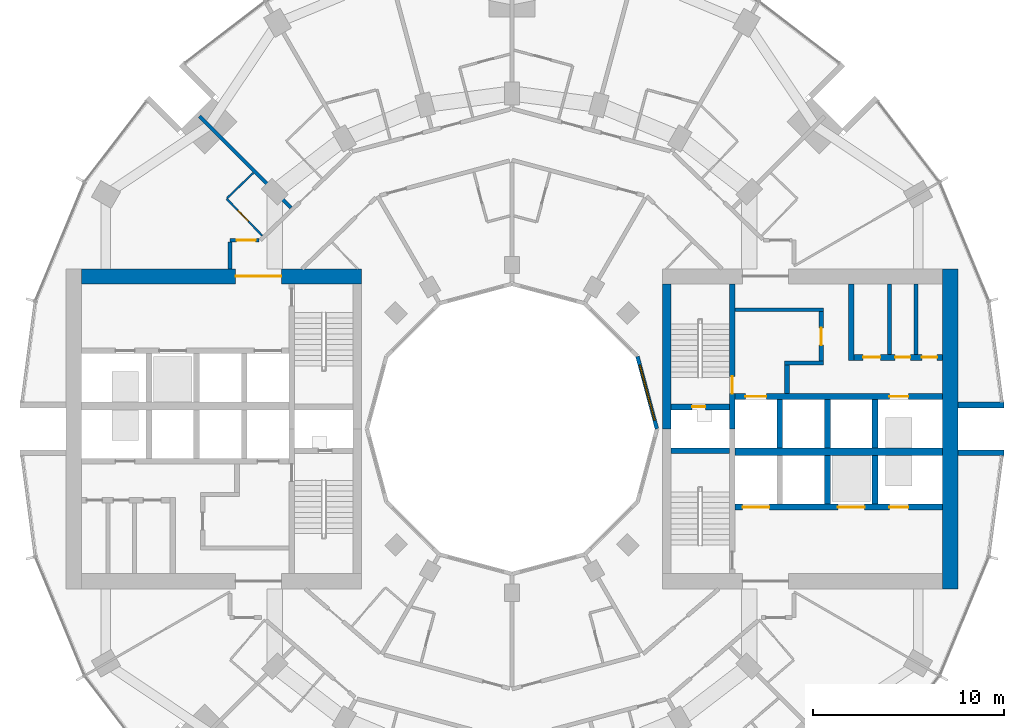
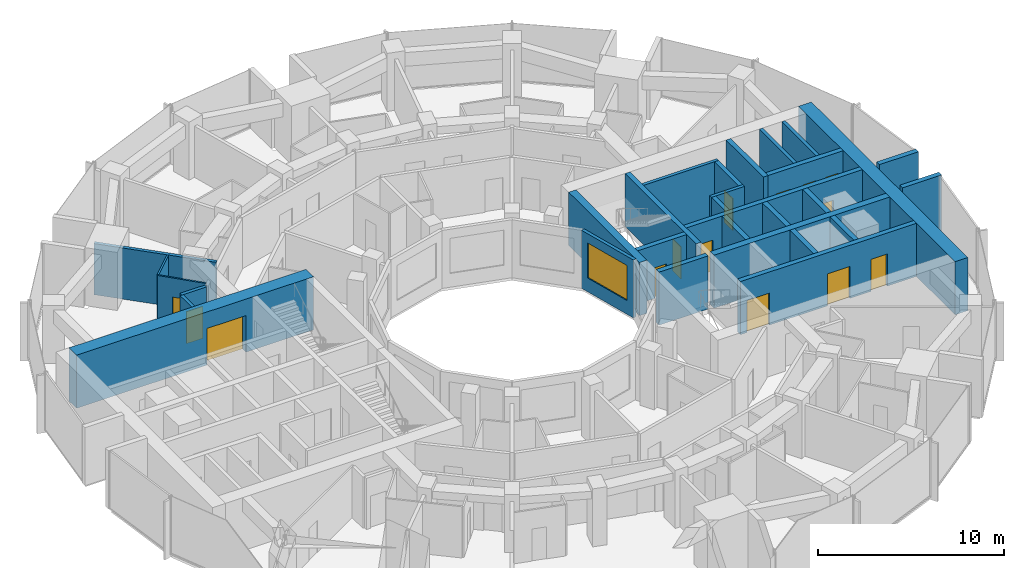
# One storey, part 11 of 15: 30 walls, 14 doors, 1 window, 15 openings.
"""IFC4 building model written with IfcOpenShell, lengths in metres."""

import ifcopenshell
import ifcopenshell.guid

model = None  # the IFC model being written
_history = None  # IfcOwnerHistory: only IFC2X3 demands one
_inside = {}  # id of a spatial element -> (the spatial element, [elements in it])
_under = {}  # id of a project, library or spatial element -> (it, [spatial elements below it])
_declared = {}  # id of a project -> (the project, [libraries it declares])
_typed = {}  # id of a type object -> (the type object, [elements of that type])
_made_of = {}  # id of a material, layer set ... -> (it, [elements and type objects made of it])


def new_model(schema):
    """Start an empty IFC model of exactly this schema.

    Asked for "IFC4X3", IfcOpenShell would pick the latest addendum, in which some entities
    have other attributes; the version numbers below select the first issue.
    IFC2X3 requires an IfcOwnerHistory on every rooted entity: one is made here for all.
    """
    global model, _history
    if schema == "IFC4X3":
        model = ifcopenshell.file(schema_version=(4, 3, 0, 0))
    else:
        model = ifcopenshell.file(schema=schema)
    _inside.clear()
    _under.clear()
    _declared.clear()
    _typed.clear()
    _made_of.clear()
    _history = None
    if model.schema == "IFC2X3":
        org = make("IfcOrganization", Name="unknown")
        user = make(
            "IfcPersonAndOrganization",
            ThePerson=make("IfcPerson", FamilyName="unknown"),
            TheOrganization=org,
        )
        app = make(
            "IfcApplication",
            ApplicationDeveloper=org,
            Version="unknown",
            ApplicationFullName="unknown",
            ApplicationIdentifier="unknown",
        )
        _history = make(
            "IfcOwnerHistory",
            OwningUser=user,
            OwningApplication=app,
            ChangeAction="ADDED",
            CreationDate=0,
        )
    return model


def make(cls, **values):
    """One entity of the class cls with the attributes given. An attribute that is None is left unset."""
    return model.create_entity(
        cls, **{name: value for name, value in values.items() if value is not None}
    )


def rooted(cls, **values):
    """An entity with a GlobalId (a new one), such as an element, a storey or a relation."""
    return make(cls, GlobalId=ifcopenshell.guid.new(), OwnerHistory=_history, **values)


def si_unit(unit_type, name, prefix=None):
    """IfcSIUnit, for example si_unit("LENGTHUNIT", "METRE", prefix="MILLI")."""
    return make("IfcSIUnit", UnitType=unit_type, Prefix=prefix, Name=name)


def assignment(units):
    """IfcUnitAssignment: the units of a project."""
    return None if units is None else make("IfcUnitAssignment", Units=units)


def point(xyz):
    """IfcCartesianPoint."""
    return None if xyz is None else make("IfcCartesianPoint", Coordinates=xyz)


def direction(xyz):
    """IfcDirection."""
    return None if xyz is None else make("IfcDirection", DirectionRatios=xyz)


def frame(location, z_axis=None, x_axis=None):
    """IfcAxis2Placement3D, a coordinate frame: its origin and axes. An axis left out is left unset."""
    return make(
        "IfcAxis2Placement3D",
        Location=point(location),
        Axis=direction(z_axis),
        RefDirection=direction(x_axis),
    )


def frame_2d(location, x_axis=None):
    """IfcAxis2Placement2D, a coordinate frame in the plane: its origin and x axis."""
    return make(
        "IfcAxis2Placement2D", Location=point(location), RefDirection=direction(x_axis)
    )


def origin():
    """The frame at (0, 0, 0) with its axes left unset."""
    return frame((0.0, 0.0, 0.0))


def place(relative_to, where):
    """IfcLocalPlacement: puts the frame where relative to a parent placement (None: the world)."""
    return make(
        "IfcLocalPlacement", PlacementRelTo=relative_to, RelativePlacement=where
    )


def context(
    kind, dimensions, precision=None, world=None, true_north=None, identifier=None
):
    """IfcGeometricRepresentationContext, for example the 3D "Model" context."""
    return make(
        "IfcGeometricRepresentationContext",
        ContextIdentifier=identifier,
        ContextType=kind,
        CoordinateSpaceDimension=dimensions,
        Precision=precision,
        WorldCoordinateSystem=world,
        TrueNorth=true_north,
    )


def subcontext(parent, identifier, kind, view, scale=None):
    """IfcGeometricRepresentationSubContext, for example "Body" below "Model"."""
    return make(
        "IfcGeometricRepresentationSubContext",
        ContextIdentifier=identifier,
        ContextType=kind,
        ParentContext=parent,
        TargetScale=scale,
        TargetView=view,
    )


def project(units=None, contexts=None):
    """IfcProject with its units and contexts."""
    return rooted(
        "IfcProject",
        Name="project",
        RepresentationContexts=contexts,
        UnitsInContext=assignment(units),
    )


def spatial(cls, under=None, at=None, **own):
    """A site, building, storey or space (cls), placed at a placement, below another one or the project."""
    s = rooted(cls, ObjectPlacement=at, **own)
    if under is not None:
        _under.setdefault(under.id(), (under, []))[1].append(s)
    return s


def profile(cls, at=None, kind="AREA", **sizes):
    """A parametric profile (cls). Its sizes go by their IFC names, for example OverallWidth=200.0."""
    return make(cls, ProfileType=kind, Position=at, **sizes)


def rectangle(**sizes):
    """IfcRectangleProfileDef."""
    return profile("IfcRectangleProfileDef", **sizes)


def extrude(swept, where, along, depth):
    """IfcExtrudedAreaSolid: the profile swept, set in the frame where, extruded along a direction by depth."""
    return make(
        "IfcExtrudedAreaSolid",
        SweptArea=swept,
        Position=where,
        ExtrudedDirection=direction(along),
        Depth=depth,
    )


def shape(context_of_items, identifier, shape_type, items):
    """IfcShapeRepresentation: the items that make up one representation, for example the "Body"."""
    return make(
        "IfcShapeRepresentation",
        ContextOfItems=context_of_items,
        RepresentationIdentifier=identifier,
        RepresentationType=shape_type,
        Items=items,
    )


def material(Name=None, Category=None):
    """IfcMaterial."""
    return make("IfcMaterial", Name=Name, Category=Category)


def layer(
    of_material, thickness, ventilated=None, Name=None, Category=None, Priority=None
):
    """IfcMaterialLayer: one layer of a wall or slab, of a material (None: an air gap)."""
    return make(
        "IfcMaterialLayer",
        Material=of_material,
        LayerThickness=thickness,
        IsVentilated=ventilated,
        Name=Name,
        Category=Category,
        Priority=Priority,
    )


def layer_set(layers, Name=None):
    """IfcMaterialLayerSet."""
    return make("IfcMaterialLayerSet", MaterialLayers=layers, LayerSetName=Name)


def made_of(thing, what):
    """Note that an element or type object is made of a material, layer set ...; save() writes the relation."""
    if what is not None:
        _made_of.setdefault(what.id(), (what, []))[1].append(thing)
    return thing


def type_object(cls, material=None, **own):
    """A type object (cls), such as IfcWallType, which elements share."""
    return made_of(rooted(cls, **own), material)


def element(
    cls,
    number,
    at=None,
    inside=None,
    cuts=None,
    type_object=None,
    material=None,
    context=None,
    identifier="Body",
    shape_type=None,
    held_by="IfcProductDefinitionShape",
    body=None,
    shapes=None,
    **own,
):
    """One element of the class cls, such as IfcWall. Its Tag is "e" and its number.

    at: its placement. inside: the storey or other place that contains it. cuts: it is an
    opening in that element (IfcRelVoidsElement). A single representation is given by context,
    identifier, shape_type and body (its items); several are given by shapes. held_by: the class
    of the entity that holds the representations. save() writes the other relations.
    """
    e = rooted(cls, Tag="e%d" % number, ObjectPlacement=at, **own)
    if body is not None:
        shapes = [shape(context, identifier, shape_type, body)]
    if shapes is not None:
        e.Representation = make(held_by, Representations=shapes)
    if inside is not None:
        _inside.setdefault(inside.id(), (inside, []))[1].append(e)
    if cuts is not None:
        rooted(
            "IfcRelVoidsElement", RelatingBuildingElement=cuts, RelatedOpeningElement=e
        )
    if type_object is not None:
        _typed.setdefault(type_object.id(), (type_object, []))[1].append(e)
    return made_of(e, material)


def fill(opening, filler):
    """IfcRelFillsElement: the door or window that sits in an opening."""
    return rooted(
        "IfcRelFillsElement",
        RelatingOpeningElement=opening,
        RelatedBuildingElement=filler,
    )


def aggregate(whole, parts):
    """IfcRelAggregates: a whole, such as a stair, and the parts it consists of."""
    return rooted("IfcRelAggregates", RelatingObject=whole, RelatedObjects=parts)


def save(model, path):
    """Write the relations noted so far, then the file.

    IfcRelAggregates (storeys below a building ...), IfcRelContainedInSpatialStructure (elements
    in a storey), IfcRelDefinesByType, IfcRelAssociatesMaterial and IfcRelDeclares: one each for
    every whole, place, type object, material and project.
    """
    for whole, parts in _under.values():
        aggregate(whole, parts)
    for where, things in _inside.values():
        rooted(
            "IfcRelContainedInSpatialStructure",
            RelatedElements=things,
            RelatingStructure=where,
        )
    for kind, things in _typed.values():
        rooted("IfcRelDefinesByType", RelatedObjects=things, RelatingType=kind)
    for what, things in _made_of.values():
        rooted("IfcRelAssociatesMaterial", RelatedObjects=things, RelatingMaterial=what)
    for by, libraries in _declared.values():
        rooted("IfcRelDeclares", RelatingContext=by, RelatedDefinitions=libraries)
    model.write(path)


model = new_model("IFC4")

# Units and contexts
model_context = context("Model", 3, precision=1e-05, world=origin(), true_north=direction((0.0, 1.0)))
body_context = subcontext(model_context, "Body", "Model", "MODEL_VIEW")
ifc_project = project(units=[si_unit("LENGTHUNIT", "METRE"), si_unit("AREAUNIT", "SQUARE_METRE"), si_unit("VOLUMEUNIT", "CUBIC_METRE"), si_unit("PLANEANGLEUNIT", "RADIAN"), si_unit("MASSUNIT", "GRAM", prefix="KILO")], contexts=[model_context])

# Site, building, storey
site_placement = place(None, origin())
site = spatial("IfcSite", under=ifc_project, at=site_placement, CompositionType="ELEMENT")
building_placement = place(site_placement, origin())
building = spatial("IfcBuilding", under=site, at=building_placement, Name="Torre Brocal", CompositionType="ELEMENT")
storey_placement = place(building_placement, frame((0.0, 0.0, 36.39990234375)))
storey = spatial("IfcBuildingStorey", under=building, at=storey_placement, Name="L07", CompositionType="ELEMENT", Elevation=36.39990234375)

# Walls
ifc_material_1 = material(Name="Masonry block", Category="masonry")
ifc_layer_1 = layer(ifc_material_1, 0.199951171875)
ifc_layer_set_1 = layer_set([ifc_layer_1], Name="Masonry block")
wall_type_1 = type_object("IfcWallType", Name="CORE PARTITION 200", PredefinedType="PARTITIONING", material=ifc_layer_set_1)
for number, where, z_axis, x_axis, name in (
    (1, (99.81005859375, 78.89990234375, 0.0), (0.0, 0.0, 1.0), (0.0, 1.0, 0.0), "Wall CP200"),
    (2, (101.205078125, 78.89990234375, 0.0), (0.0, 0.0, 1.0), (0.0, 1.0, 0.0), "Wall CP200"),
):
    element("IfcWall", number, at=place(storey_placement, frame(where, z_axis=z_axis, x_axis=x_axis)), inside=storey, type_object=wall_type_1, Name=name, PredefinedType="PARTITIONING", context=body_context, shape_type="SweptSolid", body=[
        extrude(rectangle(XDim=3.7001953125, YDim=0.199951171875, at=frame_2d((1.85009765625, 0.0))), origin(), (0.0, 0.0, 1.0), 3.47998046875),
    ])
ifc_material_2 = material(Name="Concrete C80", Category="concrete")
ifc_layer_2 = layer(ifc_material_2, 0.199951171875)
ifc_layer_set_2 = layer_set([ifc_layer_2], Name="Concrete C80")
wall_type_2 = type_object("IfcWallType", Name="CORE WALL 200 C80", PredefinedType="SHEAR", material=ifc_layer_set_2)
wall_1_placement = place(storey_placement, frame((91.699951171875, 81.25, 0.0), z_axis=(0.0, 0.0, 1.0), x_axis=(1.0, 0.0, 0.0)))
element("IfcWall", 3, at=wall_1_placement, inside=storey, type_object=wall_type_2, Name="Wall CW200-80", PredefinedType="SHEAR", context=body_context, shape_type="SweptSolid", body=[
    extrude(rectangle(XDim=4.650146484375, YDim=0.199951171875, at=frame_2d((2.3251953125, 0.0))), origin(), (0.0, 0.0, 1.0), 3.47998046875),
])
wall_2_placement = place(storey_placement, frame((94.300048828125, 78.449951171875, 0.0), z_axis=(0.0, 0.0, 1.0), x_axis=(1.0, 0.0, 0.0)))
element("IfcWall", 4, at=wall_2_placement, inside=storey, type_object=wall_type_2, Name="Wall CW200-80", PredefinedType="SHEAR", context=body_context, shape_type="SweptSolid", body=[
    extrude(rectangle(XDim=2.050048828125, YDim=0.199951171875, at=frame_2d((1.02490234375, 0.0))), origin(), (0.0, 0.0, 1.0), 3.47998046875),
])

# Wall, opening, door
ifc_material_3 = material(Name="Concrete C80", Category="concrete")
ifc_layer_3 = layer(ifc_material_3, 0.25)
ifc_layer_set_3 = layer_set([ifc_layer_3], Name="Concrete C80")
wall_type_3 = type_object("IfcWallType", Name="CORE WALL 250 C80", PredefinedType="SHEAR", material=ifc_layer_set_3)
wall_3_placement = place(storey_placement, frame((96.22509765625, 78.550048828125, 0.0), z_axis=(0.0, 0.0, 1.0), x_axis=(0.0, 1.0, 0.0)))
wall_3 = element("IfcWall", 5, at=wall_3_placement, inside=storey, type_object=wall_type_3, Name="Wall CW250-80", PredefinedType="SHEAR", context=body_context, shape_type="SweptSolid", body=[
    extrude(rectangle(XDim=2.599853515625, YDim=0.25, at=frame_2d((1.2998046875, 0.0))), origin(), (0.0, 0.0, 1.0), 3.47998046875),
])
opening_1_placement = place(wall_3_placement, frame((0.85009765625, 0.0, 0.0)))
opening_1 = element("IfcOpeningElement", 6, at=opening_1_placement, cuts=wall_3, Name="Opening E-D15", PredefinedType="OPENING", context=body_context, shape_type="SweptSolid", body=[
    extrude(rectangle(XDim=0.89990234375, YDim=2.10009765625, at=frame_2d((0.449951171875, 1.050048828125))), frame((0.0, 0.135009765625, 0.0), z_axis=(0.0, -1.0, 0.0), x_axis=(1.0, 0.0, 0.0)), (0.0, 0.0, 1.0), 0.27001953125),
])
ifc_material_4 = material(Name="Steel A653", Category="steel")
door_type_1 = type_object("IfcDoorType", Name="LOBBY DOOR FD120 900X2100", OperationType="SINGLE_SWING_RIGHT", PredefinedType="DOOR", material=ifc_material_4)
door_1_placement = place(opening_1_placement, origin())
door_1 = element("IfcDoor", 7, at=door_1_placement, inside=storey, type_object=door_type_1, Name="Door E-D15", OperationType="SINGLE_SWING_LEFT", OverallHeight=2.10009765625, OverallWidth=0.89990234375, PredefinedType="DOOR", context=body_context, shape_type="SweptSolid", body=[
    extrude(rectangle(XDim=0.89990234375, YDim=2.10009765625, at=frame_2d((0.449951171875, 1.050048828125))), frame((0.0, 0.02490234375, 0.0), z_axis=(0.0, -1.0, 0.0), x_axis=(1.0, 0.0, 0.0)), (0.0, 0.0, 1.0), 0.050048828125),
])
fill(opening_1, door_1)

# Wall
wall_4_placement = place(storey_placement, frame((94.425048828125, 76.85009765625, 0.0), z_axis=(0.0, 0.0, 1.0), x_axis=(0.0, 1.0, 0.0)))
element("IfcWall", 8, at=wall_4_placement, inside=storey, type_object=wall_type_3, Name="Wall CW250-80", PredefinedType="SHEAR", context=body_context, shape_type="SweptSolid", body=[
    extrude(rectangle(XDim=1.5, YDim=0.25, at=frame_2d((0.75, 0.0))), origin(), (0.0, 0.0, 1.0), 3.47998046875),
])

# Wall, opening, door
ifc_material_5 = material(Name="Concrete C80", Category="concrete")
ifc_layer_4 = layer(ifc_material_5, 0.300048828125)
ifc_layer_set_4 = layer_set([ifc_layer_4], Name="Concrete C80")
wall_type_4 = type_object("IfcWallType", Name="CORE WALL 300 C80", PredefinedType="SHEAR", material=ifc_layer_set_4)
wall_5_placement = place(storey_placement, frame((91.550048828125, 75.0, 0.0), z_axis=(0.0, 0.0, 1.0), x_axis=(0.0, 1.0, 0.0)))
wall_5 = element("IfcWall", 9, at=wall_5_placement, inside=storey, type_object=wall_type_4, Name="Wall CW300-80", PredefinedType="SHEAR", context=body_context, shape_type="SweptSolid", body=[
    extrude(rectangle(XDim=7.60009765625, YDim=0.300048828125, at=frame_2d((3.800048828125, 0.0))), origin(), (0.0, 0.0, 1.0), 3.47998046875),
])
opening_2_placement = place(wall_5_placement, frame((1.85009765625, 0.0, 0.0)))
opening_2 = element("IfcOpeningElement", 10, at=opening_2_placement, cuts=wall_5, Name="Opening E-D02", PredefinedType="OPENING", context=body_context, shape_type="SweptSolid", body=[
    extrude(rectangle(XDim=0.89990234375, YDim=2.10009765625, at=frame_2d((0.449951171875, 1.050048828125))), frame((0.0, 0.159912109375, 0.0), z_axis=(0.0, -1.0, 0.0), x_axis=(1.0, 0.0, 0.0)), (0.0, 0.0, 1.0), 0.320068359375),
])
ifc_material_6 = material(Name="Steel A653", Category="steel")
door_type_2 = type_object("IfcDoorType", Name="STAIR DOOR FD120 900X2100", OperationType="SINGLE_SWING_RIGHT", PredefinedType="DOOR", material=ifc_material_6)
door_2_placement = place(opening_2_placement, origin())
door_2 = element("IfcDoor", 11, at=door_2_placement, inside=storey, type_object=door_type_2, Name="Door E-D02", OperationType="SINGLE_SWING_LEFT", OverallHeight=2.10009765625, OverallWidth=0.89990234375, PredefinedType="DOOR", context=body_context, shape_type="SweptSolid", body=[
    extrude(rectangle(XDim=0.89990234375, YDim=2.10009765625, at=frame_2d((0.449951171875, 1.050048828125))), frame((0.0, 0.02490234375, 0.0), z_axis=(0.0, -1.0, 0.0), x_axis=(1.0, 0.0, 0.0)), (0.0, 0.0, 1.0), 0.050048828125),
])
fill(opening_2, door_2)

wall_6_placement = place(storey_placement, frame((88.35009765625, 76.14990234375, 0.0), z_axis=(0.0, 0.0, 1.0), x_axis=(1.0, 0.0, 0.0)))
wall_6 = element("IfcWall", 12, at=wall_6_placement, inside=storey, type_object=wall_type_4, Name="Wall CW300-80", PredefinedType="SHEAR", context=body_context, shape_type="SweptSolid", body=[
    extrude(rectangle(XDim=3.0498046875, YDim=0.300048828125, at=frame_2d((1.52490234375, 0.0))), origin(), (0.0, 0.0, 1.0), 3.47998046875),
])
opening_3_placement = place(wall_6_placement, frame((1.10009765625, 0.0, 0.0)))
opening_3 = element("IfcOpeningElement", 13, at=opening_3_placement, cuts=wall_6, Name="Opening E-D01", PredefinedType="OPENING", context=body_context, shape_type="SweptSolid", body=[
    extrude(rectangle(XDim=0.699951171875, YDim=2.0, at=frame_2d((0.35009765625, 1.0))), frame((0.0, 0.159912109375, 0.0), z_axis=(0.0, -1.0, 0.0), x_axis=(1.0, 0.0, 0.0)), (0.0, 0.0, 1.0), 0.320068359375),
])
ifc_material_7 = material(Name="Steel A653", Category="steel")
door_type_3 = type_object("IfcDoorType", Name="RISER DOOR FD120 700X2000", OperationType="SINGLE_SWING_LEFT", PredefinedType="DOOR", material=ifc_material_7)
door_3_placement = place(opening_3_placement, frame((0.699951171875, 0.0, 0.0), z_axis=(0.0, 0.0, 1.0), x_axis=(-1.0, 0.0, 0.0)))
door_3 = element("IfcDoor", 14, at=door_3_placement, inside=storey, type_object=door_type_3, Name="Door E-D01", OperationType="SINGLE_SWING_RIGHT", OverallHeight=2.0, OverallWidth=0.699951171875, PredefinedType="DOOR", context=body_context, shape_type="SweptSolid", body=[
    extrude(rectangle(XDim=0.699951171875, YDim=2.0, at=frame_2d((0.35009765625, 1.0))), frame((0.0, 0.02490234375, 0.0), z_axis=(0.0, -1.0, 0.0), x_axis=(1.0, 0.0, 0.0)), (0.0, 0.0, 1.0), 0.050048828125),
])
fill(opening_3, door_3)

# Wall
wall_7_placement = place(storey_placement, frame((88.35009765625, 73.85009765625, 0.0), z_axis=(0.0, 0.0, 1.0), x_axis=(1.0, 0.0, 0.0)))
element("IfcWall", 15, at=wall_7_placement, inside=storey, type_object=wall_type_4, Name="Wall CW300-80", PredefinedType="SHEAR", context=body_context, shape_type="SweptSolid", body=[
    extrude(rectangle(XDim=3.0498046875, YDim=0.300048828125, at=frame_2d((1.52490234375, 0.0))), origin(), (0.0, 0.0, 1.0), 3.47998046875),
])

# Wall, openings, doors
wall_8_placement = place(storey_placement, frame((91.699951171875, 76.699951171875, 0.0), z_axis=(0.0, 0.0, 1.0), x_axis=(1.0, 0.0, 0.0)))
wall_8 = element("IfcWall", 16, at=wall_8_placement, inside=storey, type_object=wall_type_4, Name="Wall CW300-80", PredefinedType="SHEAR", context=body_context, shape_type="SweptSolid", body=[
    extrude(rectangle(XDim=10.900146484375, YDim=0.300048828125, at=frame_2d((5.4501953125, 0.0))), origin(), (0.0, 0.0, 1.0), 3.47998046875),
])
opening_4_placement = place(wall_8_placement, frame((0.550048828125, 0.0, 0.0)))
opening_4 = element("IfcOpeningElement", 17, at=opening_4_placement, cuts=wall_8, Name="Opening LD", PredefinedType="OPENING", context=body_context, shape_type="SweptSolid", body=[
    extrude(rectangle(XDim=1.10009765625, YDim=2.10009765625, at=frame_2d((0.550048828125, 1.050048828125))), frame((0.0, 0.159912109375, 0.0), z_axis=(0.0, -1.0, 0.0), x_axis=(1.0, 0.0, 0.0)), (0.0, 0.0, 1.0), 0.320068359375),
])
opening_5_placement = place(wall_8_placement, frame((8.10009765625, 0.0, 0.0)))
opening_5 = element("IfcOpeningElement", 18, at=opening_5_placement, cuts=wall_8, Name="Opening LD10", PredefinedType="OPENING", context=body_context, shape_type="SweptSolid", body=[
    extrude(rectangle(XDim=1.0, YDim=2.10009765625, at=frame_2d((0.5, 1.050048828125))), frame((0.0, 0.159912109375, 0.0), z_axis=(0.0, -1.0, 0.0), x_axis=(1.0, 0.0, 0.0)), (0.0, 0.0, 1.0), 0.320068359375),
])
ifc_material_8 = material(Name="Stainless steel AISI 316", Category="steel")
door_type_4 = type_object("IfcDoorType", Name="LIFT LANDING DOOR 1000X2100", OperationType="DOUBLE_DOOR_SLIDING", PredefinedType="DOOR", material=ifc_material_8)
door_4_placement = place(opening_5_placement, origin())
door_4 = element("IfcDoor", 19, at=door_4_placement, inside=storey, type_object=door_type_4, Name="Door LD10", OperationType="DOUBLE_DOOR_SLIDING", OverallHeight=2.10009765625, OverallWidth=1.0, PredefinedType="DOOR", context=body_context, shape_type="SweptSolid", body=[
    extrude(rectangle(XDim=1.0, YDim=2.10009765625, at=frame_2d((0.5, 1.050048828125))), frame((0.0, 0.02490234375, 0.0), z_axis=(0.0, -1.0, 0.0), x_axis=(1.0, 0.0, 0.0)), (0.0, 0.0, 1.0), 0.050048828125),
])
fill(opening_5, door_4)
ifc_material_9 = material(Name="Stainless steel AISI 316", Category="steel")
door_type_5 = type_object("IfcDoorType", Name="LIFT LANDING DOOR 1100X2100", OperationType="DOUBLE_DOOR_SLIDING", PredefinedType="DOOR", material=ifc_material_9)
door_5_placement = place(opening_4_placement, origin())
door_5 = element("IfcDoor", 20, at=door_5_placement, inside=storey, type_object=door_type_5, Name="Door LD", OperationType="DOUBLE_DOOR_SLIDING", OverallHeight=2.10009765625, OverallWidth=1.10009765625, PredefinedType="DOOR", context=body_context, shape_type="SweptSolid", body=[
    extrude(rectangle(XDim=1.10009765625, YDim=2.10009765625, at=frame_2d((0.550048828125, 1.050048828125))), frame((0.0, 0.02490234375, 0.0), z_axis=(0.0, -1.0, 0.0), x_axis=(1.0, 0.0, 0.0)), (0.0, 0.0, 1.0), 0.050048828125),
])
fill(opening_4, door_5)

wall_9_placement = place(storey_placement, frame((91.699951171875, 70.89990234375, 0.0), z_axis=(0.0, 0.0, 1.0), x_axis=(1.0, 0.0, 0.0)))
wall_9 = element("IfcWall", 21, at=wall_9_placement, inside=storey, type_object=wall_type_4, Name="Wall CW300-80", PredefinedType="SHEAR", context=body_context, shape_type="SweptSolid", body=[
    extrude(rectangle(XDim=10.900146484375, YDim=0.300048828125, at=frame_2d((5.4501953125, 0.0))), origin(), (0.0, 0.0, 1.0), 3.47998046875),
])
opening_6_placement = place(wall_9_placement, frame((0.39990234375, 0.0, 0.0)))
opening_6 = element("IfcOpeningElement", 22, at=opening_6_placement, cuts=wall_9, Name="Opening LD14", PredefinedType="OPENING", context=body_context, shape_type="SweptSolid", body=[
    extrude(rectangle(XDim=1.39990234375, YDim=2.10009765625, at=frame_2d((0.699951171875, 1.050048828125))), frame((0.0, 0.159912109375, 0.0), z_axis=(0.0, -1.0, 0.0), x_axis=(1.0, 0.0, 0.0)), (0.0, 0.0, 1.0), 0.320068359375),
])
opening_7_placement = place(wall_9_placement, frame((5.39990234375, 0.0, 0.0)))
opening_7 = element("IfcOpeningElement", 23, at=opening_7_placement, cuts=wall_9, Name="Opening LD14", PredefinedType="OPENING", context=body_context, shape_type="SweptSolid", body=[
    extrude(rectangle(XDim=1.39990234375, YDim=2.10009765625, at=frame_2d((0.699951171875, 1.050048828125))), frame((0.0, 0.159912109375, 0.0), z_axis=(0.0, -1.0, 0.0), x_axis=(1.0, 0.0, 0.0)), (0.0, 0.0, 1.0), 0.320068359375),
])
opening_8_placement = place(wall_9_placement, frame((8.10009765625, 0.0, 0.0)))
opening_8 = element("IfcOpeningElement", 24, at=opening_8_placement, cuts=wall_9, Name="Opening LD10", PredefinedType="OPENING", context=body_context, shape_type="SweptSolid", body=[
    extrude(rectangle(XDim=1.0, YDim=2.10009765625, at=frame_2d((0.5, 1.050048828125))), frame((0.0, 0.159912109375, 0.0), z_axis=(0.0, -1.0, 0.0), x_axis=(1.0, 0.0, 0.0)), (0.0, 0.0, 1.0), 0.320068359375),
])
door_6_placement = place(opening_8_placement, origin())
door_6 = element("IfcDoor", 25, at=door_6_placement, inside=storey, type_object=door_type_4, Name="Door LD10", OperationType="DOUBLE_DOOR_SLIDING", OverallHeight=2.10009765625, OverallWidth=1.0, PredefinedType="DOOR", context=body_context, shape_type="SweptSolid", body=[
    extrude(rectangle(XDim=1.0, YDim=2.10009765625, at=frame_2d((0.5, 1.050048828125))), frame((0.0, 0.02490234375, 0.0), z_axis=(0.0, -1.0, 0.0), x_axis=(1.0, 0.0, 0.0)), (0.0, 0.0, 1.0), 0.050048828125),
])
fill(opening_8, door_6)
ifc_material_10 = material(Name="Stainless steel AISI 316", Category="steel")
door_type_6 = type_object("IfcDoorType", Name="LIFT LANDING DOOR 1400X2100", OperationType="DOUBLE_DOOR_SLIDING", PredefinedType="DOOR", material=ifc_material_10)
door_7_placement = place(opening_6_placement, origin())
door_7 = element("IfcDoor", 26, at=door_7_placement, inside=storey, type_object=door_type_6, Name="Door LD14", OperationType="DOUBLE_DOOR_SLIDING", OverallHeight=2.10009765625, OverallWidth=1.39990234375, PredefinedType="DOOR", context=body_context, shape_type="SweptSolid", body=[
    extrude(rectangle(XDim=1.39990234375, YDim=2.10009765625, at=frame_2d((0.699951171875, 1.050048828125))), frame((0.0, 0.02490234375, 0.0), z_axis=(0.0, -1.0, 0.0), x_axis=(1.0, 0.0, 0.0)), (0.0, 0.0, 1.0), 0.050048828125),
])
fill(opening_6, door_7)
door_8_placement = place(opening_7_placement, origin())
door_8 = element("IfcDoor", 27, at=door_8_placement, inside=storey, type_object=door_type_6, Name="Door LD14", OperationType="DOUBLE_DOOR_SLIDING", OverallHeight=2.10009765625, OverallWidth=1.39990234375, PredefinedType="DOOR", context=body_context, shape_type="SweptSolid", body=[
    extrude(rectangle(XDim=1.39990234375, YDim=2.10009765625, at=frame_2d((0.699951171875, 1.050048828125))), frame((0.0, 0.02490234375, 0.0), z_axis=(0.0, -1.0, 0.0), x_axis=(1.0, 0.0, 0.0)), (0.0, 0.0, 1.0), 0.050048828125),
])
fill(opening_7, door_8)

# Walls
for number, where, z_axis, x_axis, name in (
    (28, (94.050048828125, 74.0, 0.0), (0.0, 0.0, 1.0), (0.0, 1.0, 0.0), "Wall CW300-80"),
    (29, (96.550048828125, 74.0, 0.0), (0.0, 0.0, 1.0), (0.0, 1.0, 0.0), "Wall CW300-80"),
    (30, (99.050048828125, 74.0, 0.0), (0.0, 0.0, 1.0), (0.0, 1.0, 0.0), "Wall CW300-80"),
    (31, (96.550048828125, 71.050048828125, 0.0), (0.0, 0.0, 1.0), (0.0, 1.0, 0.0), "Wall CW300-80"),
    (32, (99.050048828125, 71.050048828125, 0.0), (0.0, 0.0, 1.0), (0.0, 1.0, 0.0), "Wall CW300-80"),
):
    element("IfcWall", number, at=place(storey_placement, frame(where, z_axis=z_axis, x_axis=x_axis)), inside=storey, type_object=wall_type_4, Name=name, PredefinedType="SHEAR", context=body_context, shape_type="SweptSolid", body=[
        extrude(rectangle(XDim=2.550048828125, YDim=0.300048828125, at=frame_2d((1.27490234375, 0.0))), origin(), (0.0, 0.0, 1.0), 3.47998046875),
    ])
wall_10_placement = place(storey_placement, frame((97.800048828125, 78.60009765625, 0.0), z_axis=(0.0, 0.0, 1.0), x_axis=(0.0, 1.0, 0.0)))
element("IfcWall", 33, at=wall_10_placement, inside=storey, type_object=wall_type_4, Name="Wall CW300-80", PredefinedType="SHEAR", context=body_context, shape_type="SweptSolid", body=[
    extrude(rectangle(XDim=4.0, YDim=0.300048828125, at=frame_2d((2.0, 0.0))), origin(), (0.0, 0.0, 1.0), 3.47998046875),
])

# Wall, openings, doors
wall_11_placement = place(storey_placement, frame((97.949951171875, 78.75, 0.0), z_axis=(0.0, 0.0, 1.0), x_axis=(1.0, 0.0, 0.0)))
wall_11 = element("IfcWall", 34, at=wall_11_placement, inside=storey, type_object=wall_type_4, Name="Wall CW300-80", PredefinedType="SHEAR", context=body_context, shape_type="SweptSolid", body=[
    extrude(rectangle(XDim=4.650146484375, YDim=0.300048828125, at=frame_2d((2.3251953125, 0.0))), origin(), (0.0, 0.0, 1.0), 3.47998046875),
])
opening_9_placement = place(wall_11_placement, frame((0.47998046875, 0.0, 0.0)))
opening_9 = element("IfcOpeningElement", 35, at=opening_9_placement, cuts=wall_11, Name="Opening E-D05", PredefinedType="OPENING", context=body_context, shape_type="SweptSolid", body=[
    extrude(rectangle(XDim=0.89990234375, YDim=2.10009765625, at=frame_2d((0.449951171875, 1.050048828125))), frame((0.0, 0.159912109375, 0.0), z_axis=(0.0, -1.0, 0.0), x_axis=(1.0, 0.0, 0.0)), (0.0, 0.0, 1.0), 0.320068359375),
])
opening_10_placement = place(wall_11_placement, frame((2.157470703125, 0.0, 0.0)))
opening_10 = element("IfcOpeningElement", 36, at=opening_10_placement, cuts=wall_11, Name="Opening E-D22", PredefinedType="OPENING", context=body_context, shape_type="SweptSolid", body=[
    extrude(rectangle(XDim=0.800048828125, YDim=2.10009765625, at=frame_2d((0.39990234375, 1.050048828125))), frame((0.0, 0.159912109375, 0.0), z_axis=(0.0, -1.0, 0.0), x_axis=(1.0, 0.0, 0.0)), (0.0, 0.0, 1.0), 0.320068359375),
])
opening_11_placement = place(wall_11_placement, frame((3.552490234375, 0.0, 0.0)))
opening_11 = element("IfcOpeningElement", 37, at=opening_11_placement, cuts=wall_11, Name="Opening E-D25", PredefinedType="OPENING", context=body_context, shape_type="SweptSolid", body=[
    extrude(rectangle(XDim=0.800048828125, YDim=2.10009765625, at=frame_2d((0.39990234375, 1.050048828125))), frame((0.0, 0.159912109375, 0.0), z_axis=(0.0, -1.0, 0.0), x_axis=(1.0, 0.0, 0.0)), (0.0, 0.0, 1.0), 0.320068359375),
])
ifc_material_11 = material(Name="Steel A653", Category="steel")
door_type_7 = type_object("IfcDoorType", Name="ROOM DOOR FD30S 800X2100", OperationType="SINGLE_SWING_LEFT", PredefinedType="DOOR", material=ifc_material_11)
door_9_placement = place(opening_10_placement, origin())
door_9 = element("IfcDoor", 38, at=door_9_placement, inside=storey, type_object=door_type_7, Name="Door E-D22", OperationType="SINGLE_SWING_RIGHT", OverallHeight=2.10009765625, OverallWidth=0.800048828125, PredefinedType="DOOR", context=body_context, shape_type="SweptSolid", body=[
    extrude(rectangle(XDim=0.800048828125, YDim=2.10009765625, at=frame_2d((0.39990234375, 1.050048828125))), frame((0.0, 0.02490234375, 0.0), z_axis=(0.0, -1.0, 0.0), x_axis=(1.0, 0.0, 0.0)), (0.0, 0.0, 1.0), 0.050048828125),
])
fill(opening_10, door_9)
door_10_placement = place(opening_11_placement, origin())
door_10 = element("IfcDoor", 39, at=door_10_placement, inside=storey, type_object=door_type_7, Name="Door E-D25", OperationType="SINGLE_SWING_LEFT", OverallHeight=2.10009765625, OverallWidth=0.800048828125, PredefinedType="DOOR", context=body_context, shape_type="SweptSolid", body=[
    extrude(rectangle(XDim=0.800048828125, YDim=2.10009765625, at=frame_2d((0.39990234375, 1.050048828125))), frame((0.0, 0.02490234375, 0.0), z_axis=(0.0, -1.0, 0.0), x_axis=(1.0, 0.0, 0.0)), (0.0, 0.0, 1.0), 0.050048828125),
])
fill(opening_11, door_10)
ifc_material_12 = material(Name="Steel A653", Category="steel")
door_type_8 = type_object("IfcDoorType", Name="ROOM DOOR FD30S 900X2100", OperationType="SINGLE_SWING_LEFT", PredefinedType="DOOR", material=ifc_material_12)
door_11_placement = place(opening_9_placement, origin())
door_11 = element("IfcDoor", 40, at=door_11_placement, inside=storey, type_object=door_type_8, Name="Door E-D05", OperationType="SINGLE_SWING_RIGHT", OverallHeight=2.10009765625, OverallWidth=0.89990234375, PredefinedType="DOOR", context=body_context, shape_type="SweptSolid", body=[
    extrude(rectangle(XDim=0.89990234375, YDim=2.10009765625, at=frame_2d((0.449951171875, 1.050048828125))), frame((0.0, 0.02490234375, 0.0), z_axis=(0.0, -1.0, 0.0), x_axis=(1.0, 0.0, 0.0)), (0.0, 0.0, 1.0), 0.050048828125),
])
fill(opening_9, door_11)

# Walls
ifc_material_13 = material(Name="Concrete C80", Category="concrete")
ifc_layer_5 = layer(ifc_material_13, 0.39990234375)
ifc_layer_set_5 = layer_set([ifc_layer_5], Name="Concrete C80")
wall_type_5 = type_object("IfcWallType", Name="CORE WALL 400 C80", PredefinedType="SHEAR", material=ifc_layer_set_5)
wall_12_placement = place(storey_placement, frame((91.699951171875, 73.800048828125, 0.0), z_axis=(0.0, 0.0, 1.0), x_axis=(1.0, 0.0, 0.0)))
element("IfcWall", 41, at=wall_12_placement, inside=storey, type_object=wall_type_5, Name="Wall CW400-80", PredefinedType="SHEAR", context=body_context, shape_type="SweptSolid", body=[
    extrude(rectangle(XDim=10.900146484375, YDim=0.39990234375, at=frame_2d((5.4501953125, 0.0))), origin(), (0.0, 0.0, 1.0), 3.47998046875),
])
ifc_material_14 = material(Name="Concrete C80", Category="concrete")
ifc_layer_6 = layer(ifc_material_14, 0.449951171875)
ifc_layer_set_6 = layer_set([ifc_layer_6], Name="Concrete C80")
wall_type_6 = type_object("IfcWallType", Name="CORE WALL 450 C80", PredefinedType="SHEAR", material=ifc_layer_set_6)
wall_13_placement = place(storey_placement, frame((88.125, 75.0, 0.0), z_axis=(0.0, 0.0, 1.0), x_axis=(0.0, 1.0, 0.0)))
element("IfcWall", 42, at=wall_13_placement, inside=storey, type_object=wall_type_6, Name="Wall CW450-80", PredefinedType="SHEAR", context=body_context, shape_type="SweptSolid", body=[
    extrude(rectangle(XDim=7.60009765625, YDim=0.449951171875, at=frame_2d((3.800048828125, 0.0))), origin(), (0.0, 0.0, 1.0), 3.47998046875),
])
ifc_material_15 = material(Name="Concrete C80", Category="concrete")
ifc_layer_7 = layer(ifc_material_15, 0.800048828125)
ifc_layer_set_7 = layer_set([ifc_layer_7], Name="Concrete C80")
wall_type_7 = type_object("IfcWallType", Name="CORE WALL 800 C80", PredefinedType="SHEAR", material=ifc_layer_set_7)
wall_14_placement = place(storey_placement, frame((103.0, 66.60009765625, 0.0), z_axis=(0.0, 0.0, 1.0), x_axis=(0.0, 1.0, 0.0)))
element("IfcWall", 43, at=wall_14_placement, inside=storey, type_object=wall_type_7, Name="Wall CW800-80", PredefinedType="SHEAR", context=body_context, shape_type="SweptSolid", body=[
    extrude(rectangle(XDim=16.7998046875, YDim=0.800048828125, at=frame_2d((8.39990234375, 0.0))), origin(), (0.0, 0.0, 1.0), 3.47998046875),
])

# Wall, opening, door
wall_15_placement = place(storey_placement, frame((72.10009765625, 83.0, 0.0), z_axis=(0.0, 0.0, 1.0), x_axis=(-1.0, 0.0, 0.0)))
wall_15 = element("IfcWall", 44, at=wall_15_placement, inside=storey, type_object=wall_type_7, Name="Wall CW800-80", PredefinedType="SHEAR", context=body_context, shape_type="SweptSolid", body=[
    extrude(rectangle(XDim=14.7001953125, YDim=0.800048828125, at=frame_2d((7.35009765625, 0.0))), origin(), (0.0, 0.0, 1.0), 3.47998046875),
])
opening_12_placement = place(wall_15_placement, frame((4.199951171875, 0.0, 0.0)))
opening_12 = element("IfcOpeningElement", 45, at=opening_12_placement, cuts=wall_15, Name="Opening W-D30", PredefinedType="OPENING", context=body_context, shape_type="SweptSolid", body=[
    extrude(rectangle(XDim=2.39990234375, YDim=2.39990234375, at=frame_2d((1.199951171875, 1.199951171875))), frame((0.0, 0.409912109375, 0.0), z_axis=(0.0, -1.0, 0.0), x_axis=(1.0, 0.0, 0.0)), (0.0, 0.0, 1.0), 0.820068359375),
])
ifc_material_16 = material(Name="Steel A653", Category="steel")
door_type_9 = type_object("IfcDoorType", Name="DOUBLE FIRE DOOR FD90 2400X2400", OperationType="DOUBLE_DOOR_SINGLE_SWING", PredefinedType="DOOR", material=ifc_material_16)
door_12_placement = place(opening_12_placement, origin())
door_12 = element("IfcDoor", 46, at=door_12_placement, inside=storey, type_object=door_type_9, Name="Door W-D30", OperationType="DOUBLE_DOOR_SINGLE_SWING", OverallHeight=2.39990234375, OverallWidth=2.39990234375, PredefinedType="DOOR", context=body_context, shape_type="SweptSolid", body=[
    extrude(rectangle(XDim=2.39990234375, YDim=2.39990234375, at=frame_2d((1.199951171875, 1.199951171875))), frame((0.0, 0.02490234375, 0.0), z_axis=(0.0, -1.0, 0.0), x_axis=(1.0, 0.0, 0.0)), (0.0, 0.0, 1.0), 0.050048828125),
])
fill(opening_12, door_12)

# Walls
ifc_material_17 = material(Name="Concrete C80", Category="concrete")
ifc_layer_8 = layer(ifc_material_17, 0.300048828125)
ifc_layer_set_8 = layer_set([ifc_layer_8], Name="Concrete C80")
wall_type_8 = type_object("IfcWallType", Name="NOTCH RETURN WALL 300 C80", PredefinedType="NOTDEFINED", material=ifc_layer_set_8)
for number, where, z_axis, x_axis, name in (
    (47, (103.39990234375, 73.75, 0.0), (0.0, 0.0, 1.0), (1.0, 0.0, 0.0), "NOTCH RETURN WALL"),
    (48, (103.39990234375, 76.25, 0.0), (0.0, 0.0, 1.0), (1.0, 0.0, 0.0), "NOTCH RETURN WALL"),
):
    element("IfcWall", number, at=place(storey_placement, frame(where, z_axis=z_axis, x_axis=x_axis)), inside=storey, type_object=wall_type_8, Name=name, PredefinedType="NOTDEFINED", context=body_context, shape_type="SweptSolid", body=[
        extrude(rectangle(XDim=2.415771484375, YDim=0.300048828125, at=frame_2d((1.2080078125, 0.0))), origin(), (0.0, 0.0, 1.0), 3.800048828125),
    ])
ifc_material_18 = material(Name="Gypsum board", Category="Gypsum")
ifc_layer_9 = layer(ifc_material_18, 0.10009765625)
ifc_layer_set_9 = layer_set([ifc_layer_9], Name="Gypsum board")
wall_type_9 = type_object("IfcWallType", Name="PARTITION 100", PredefinedType="PARTITIONING", material=ifc_layer_set_9)
wall_16_placement = place(storey_placement, frame((65.05810546875, 87.113525390625, 0.0), z_axis=(0.0, 0.0, 1.0), x_axis=(0.719715847356, 0.694268751324, 0.0)))
element("IfcWall", 49, at=wall_16_placement, inside=storey, type_object=wall_type_9, Name="BATHROOM WALL", PredefinedType="PARTITIONING", context=body_context, shape_type="SweptSolid", body=[
    extrude(rectangle(XDim=1.899658203125, YDim=0.10009765625, at=frame_2d((0.94970703125, 0.0))), origin(), (0.0, 0.0, 1.0), 3.35009765625),
])

# Wall, opening, door
wall_17_placement = place(storey_placement, frame((65.02197265625, 87.0791015625, 0.0), z_axis=(0.0, 0.0, 1.0), x_axis=(0.694287838235, -0.719697434815, 0.0)))
wall_17 = element("IfcWall", 50, at=wall_17_placement, inside=storey, type_object=wall_type_9, Name="BATHROOM WALL", PredefinedType="PARTITIONING", context=body_context, shape_type="SweptSolid", body=[
    extrude(rectangle(XDim=2.699951171875, YDim=0.10009765625, at=frame_2d((1.35009765625, 0.0))), origin(), (0.0, 0.0, 1.0), 3.35009765625),
])
opening_13_placement = place(wall_17_placement, frame((0.849853515625, 0.0, 0.0)))
opening_13 = element("IfcOpeningElement", 51, at=opening_13_placement, cuts=wall_17, Name="Opening H01-D17", PredefinedType="OPENING", context=body_context, shape_type="SweptSolid", body=[
    extrude(rectangle(XDim=0.800048828125, YDim=2.10009765625, at=frame_2d((0.39990234375, 1.050048828125))), frame((0.0, 0.06005859375, 0.0), z_axis=(0.0, -1.0, 0.0), x_axis=(1.0, 0.0, 0.0)), (0.0, 0.0, 1.0), 0.1201171875),
])
ifc_material_19 = material(Name="Timber", Category="wood")
door_type_10 = type_object("IfcDoorType", Name="BATHROOM DOOR 800X2100", OperationType="SINGLE_SWING_LEFT", PredefinedType="DOOR", material=ifc_material_19)
door_13_placement = place(opening_13_placement, origin())
door_13 = element("IfcDoor", 52, at=door_13_placement, inside=storey, type_object=door_type_10, Name="H01-D17", OperationType="SINGLE_SWING_LEFT", OverallHeight=2.10009765625, OverallWidth=0.800048828125, PredefinedType="DOOR", context=body_context, shape_type="SweptSolid", body=[
    extrude(rectangle(XDim=0.800048828125, YDim=2.10009765625, at=frame_2d((0.39990234375, 1.050048828125))), frame((0.0, 0.02490234375, 0.0), z_axis=(0.0, -1.0, 0.0), x_axis=(1.0, 0.0, 0.0)), (0.0, 0.0, 1.0), 0.050048828125),
])
fill(opening_13, door_13)

# Walls
ifc_material_20 = material(Name="Gypsum board", Category="Gypsum")
ifc_layer_10 = layer(ifc_material_20, 0.199951171875)
ifc_layer_set_10 = layer_set([ifc_layer_10], Name="Gypsum board")
wall_type_10 = type_object("IfcWallType", Name="PARTITION 200 EI60", PredefinedType="PARTITIONING", material=ifc_layer_set_10)
wall_18_placement = place(storey_placement, frame((63.5986328125, 91.408203125, 0.0), z_axis=(0.0, 0.0, 1.0), x_axis=(0.706981017422, -0.707232522587, 0.0)))
element("IfcWall", 53, at=wall_18_placement, inside=storey, type_object=wall_type_10, Name="BATHROOM WALL", PredefinedType="PARTITIONING", context=body_context, shape_type="SweptSolid", body=[
    extrude(rectangle(XDim=6.794921875, YDim=0.199951171875, at=frame_2d((3.3974609375, 0.0))), origin(), (0.0, 0.0, 1.0), 3.35009765625),
])
wall_19_placement = place(storey_placement, frame((65.199951171875, 83.40087890625, 0.0), z_axis=(0.0, 0.0, 1.0), x_axis=(0.0, 1.0, 0.0)))
element("IfcWall", 54, at=wall_19_placement, inside=storey, type_object=wall_type_10, Name="GUESTROOM CORRIDOR WALL", PredefinedType="PARTITIONING", context=body_context, shape_type="SweptSolid", body=[
    extrude(rectangle(XDim=1.399169921875, YDim=0.199951171875, at=frame_2d((0.69970703125, 0.0))), origin(), (0.0, 0.0, 1.0), 3.35009765625),
])

# Wall, opening, door
wall_20_placement = place(storey_placement, frame((65.199951171875, 84.89990234375, 0.0), z_axis=(0.0, 0.0, 1.0), x_axis=(1.0, 0.0, 0.0)))
wall_20 = element("IfcWall", 55, at=wall_20_placement, inside=storey, type_object=wall_type_10, Name="GUESTROOM CORRIDOR WALL", PredefinedType="PARTITIONING", context=body_context, shape_type="SweptSolid", body=[
    extrude(rectangle(XDim=1.5361328125, YDim=0.199951171875, at=frame_2d((0.76806640625, 0.0))), origin(), (0.0, 0.0, 1.0), 3.35009765625),
])
opening_14_placement = place(wall_20_placement, frame((0.346923828125, 0.0, 0.0)))
opening_14 = element("IfcOpeningElement", 56, at=opening_14_placement, cuts=wall_20, Name="Opening H01-D16", PredefinedType="OPENING", context=body_context, shape_type="SweptSolid", body=[
    extrude(rectangle(XDim=1.0, YDim=2.10009765625, at=frame_2d((0.5, 1.050048828125))), frame((0.0, 0.10986328125, 0.0), z_axis=(0.0, -1.0, 0.0), x_axis=(1.0, 0.0, 0.0)), (0.0, 0.0, 1.0), 0.219970703125),
])
ifc_material_21 = material(Name="Timber", Category="wood")
door_type_11 = type_object("IfcDoorType", Name="FLAT ENTRY DOOR FD30S 1000X2100", OperationType="SINGLE_SWING_RIGHT", PredefinedType="DOOR", material=ifc_material_21)
door_14_placement = place(opening_14_placement, origin())
door_14 = element("IfcDoor", 57, at=door_14_placement, inside=storey, type_object=door_type_11, Name="H01-D16", OperationType="SINGLE_SWING_LEFT", OverallHeight=2.10009765625, OverallWidth=1.0, PredefinedType="DOOR", context=body_context, shape_type="SweptSolid", body=[
    extrude(rectangle(XDim=1.0, YDim=2.10009765625, at=frame_2d((0.5, 1.050048828125))), frame((0.0, 0.02490234375, 0.0), z_axis=(0.0, -1.0, 0.0), x_axis=(1.0, 0.0, 0.0)), (0.0, 0.0, 1.0), 0.050048828125),
])
fill(opening_14, door_14)

# Wall, opening, window
ifc_material_22 = material(Name="Concrete C40", Category="concrete")
ifc_layer_11 = layer(ifc_material_22, 0.199951171875)
ifc_layer_set_11 = layer_set([ifc_layer_11], Name="Concrete C40")
wall_type_11 = type_object("IfcWallType", Name="WELL FACADE WALL 200", PredefinedType="NOTDEFINED", material=ifc_layer_set_11)
wall_21_placement = place(storey_placement, frame((87.603515625, 75.0, 0.0), z_axis=(0.0, 0.0, 1.0), x_axis=(-0.258789828301, 0.965933654434, 0.0)))
wall_21 = element("IfcWall", 58, at=wall_21_placement, inside=storey, type_object=wall_type_11, Name="WELL FACADE WALL", PredefinedType="NOTDEFINED", context=body_context, shape_type="SweptSolid", body=[
    extrude(rectangle(XDim=3.935791015625, YDim=0.199951171875, at=frame_2d((1.9677734375, 0.0))), origin(), (0.0, 0.0, 1.0), 3.800048828125),
])
opening_15_placement = place(wall_21_placement, frame((0.468017578125, 0.0, 0.89990234375)))
opening_15 = element("IfcOpeningElement", 59, at=opening_15_placement, cuts=wall_21, Name="Opening W1", PredefinedType="OPENING", context=body_context, shape_type="SweptSolid", body=[
    extrude(rectangle(XDim=3.0, YDim=2.300048828125, at=frame_2d((1.5, 1.14990234375))), frame((0.0, 0.10986328125, 0.0), z_axis=(0.0, -1.0, 0.0), x_axis=(1.0, 0.0, 0.0)), (0.0, 0.0, 1.0), 0.219970703125),
])
ifc_material_23 = material(Name="Aluminium and glass", Category="aluminium")
window_type = type_object("IfcWindowType", Name="WELL WINDOW 3000X2300", PartitioningType="SINGLE_PANEL", PredefinedType="WINDOW", material=ifc_material_23)
window_placement = place(opening_15_placement, origin())
window = element("IfcWindow", 60, at=window_placement, inside=storey, type_object=window_type, Name="WELL WINDOW 3000X2300", OverallHeight=2.300048828125, OverallWidth=3.0, PartitioningType="SINGLE_PANEL", PredefinedType="WINDOW", context=body_context, shape_type="SweptSolid", body=[
    extrude(rectangle(XDim=3.0, YDim=2.300048828125, at=frame_2d((1.5, 1.14990234375))), frame((0.0, 0.030029296875, 0.0), z_axis=(0.0, -1.0, 0.0), x_axis=(1.0, 0.0, 0.0)), (0.0, 0.0, 1.0), 0.06005859375),
])
fill(opening_15, window)

save(model, "model.ifc")
